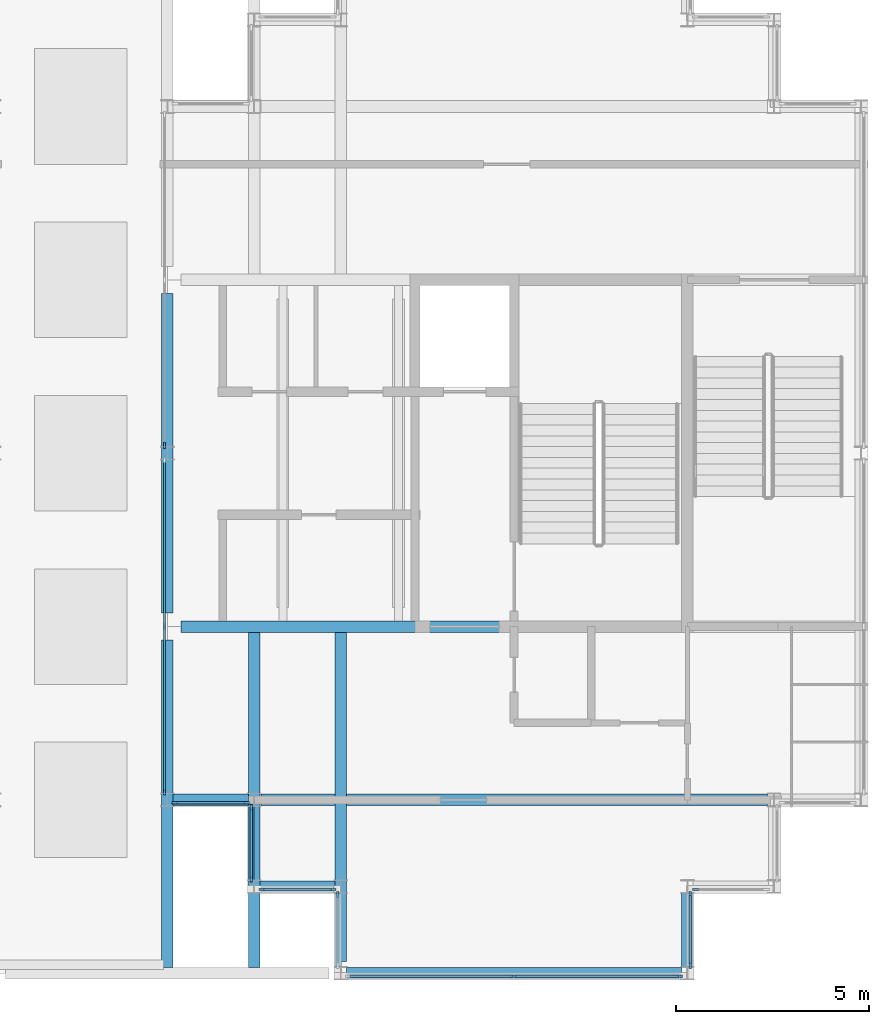
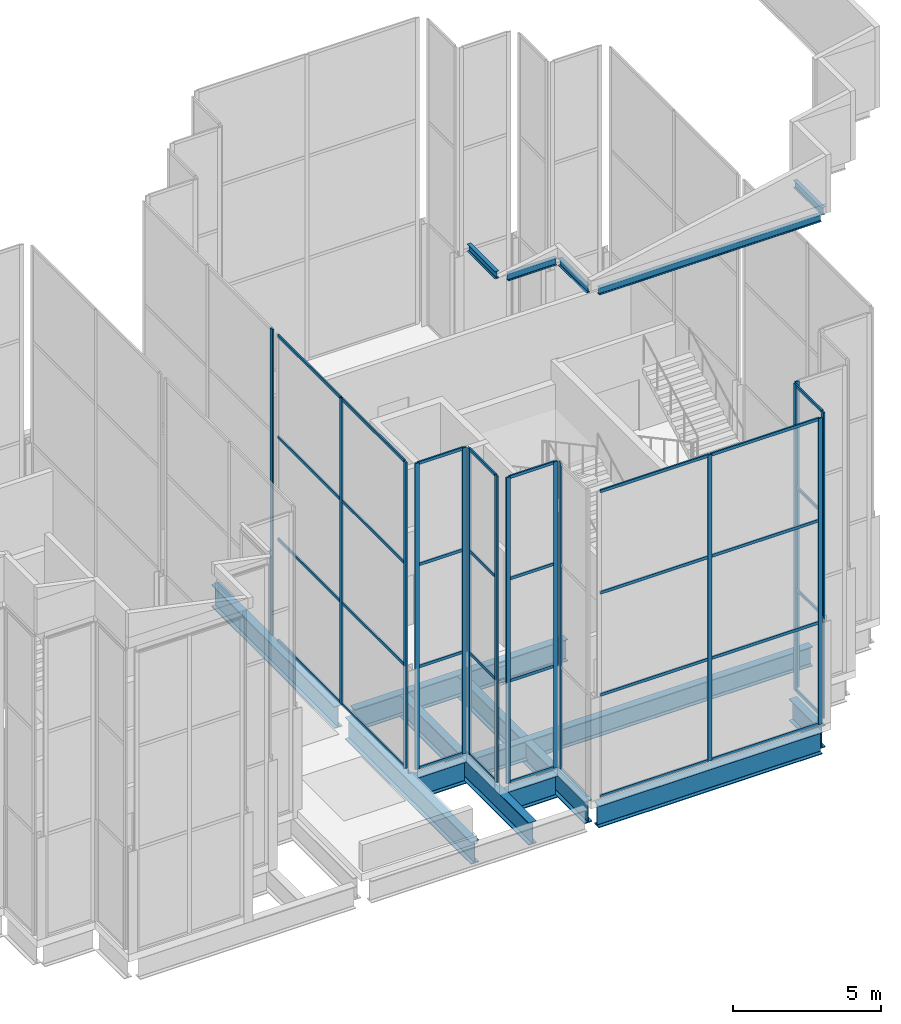
# One storey, part 4 of 23: 47 members, 15 beams, 9 elements without a shape of their own.
"""IFC4 building model written with IfcOpenShell, lengths in metres."""

from ifc_helpers import new_model, si_unit, direction, frame, origin, origin_2d, place, context, subcontext, project, spatial, rectangle, i_section, extrude, material, layer, layer_set, material_profile, profile_set, type_object, element, aggregate, save


model = new_model("IFC4")

# Units and contexts
model_context = context("Model", 3, precision=1e-05, world=origin(), true_north=direction((0.0, 1.0)))
body_context = subcontext(model_context, "Body", "Model", "MODEL_VIEW")
ifc_project = project(units=[si_unit("LENGTHUNIT", "METRE"), si_unit("AREAUNIT", "SQUARE_METRE"), si_unit("VOLUMEUNIT", "CUBIC_METRE"), si_unit("PLANEANGLEUNIT", "RADIAN"), si_unit("MASSUNIT", "GRAM", prefix="KILO")], contexts=[model_context])

# Site, building, storey
site_placement = place(None, origin())
site = spatial("IfcSite", under=ifc_project, at=site_placement, CompositionType="ELEMENT")
building_placement = place(site_placement, origin())
building = spatial("IfcBuilding", under=site, at=building_placement, Name="Caravel Reach Hotel and Residences", CompositionType="ELEMENT")
storey_placement = place(building_placement, frame((0.0, 0.0, 312.800048828125)))
storey = spatial("IfcBuildingStorey", under=building, at=storey_placement, Name="L79", CompositionType="ELEMENT", Elevation=312.800048828125)

# Beams
ifc_material_1 = material(Name="Structural steel Q355B", Category="steel")
ifc_material_profile_1 = material_profile(ifc_material_1, i_section(OverallWidth=0.14990234375, OverallDepth=0.300048828125, WebThickness=0.006591796875, FlangeThickness=0.009033203125, FilletRadius=0.012939453125, at=origin_2d()), Name="HN 300x150x6.5x9")
ifc_profile_set_1 = profile_set([ifc_material_profile_1], Name="Structural steel Q355B")
beam_type_1 = type_object("IfcBeamType", Name="Beam HN 300x150x6.5x9", PredefinedType="BEAM", material=ifc_profile_set_1)
for number, where, z_axis, x_axis, name in (
    (1, (45.074951171875, 13.675048828125, 20.849853515625), (0.0, 1.0, 0.0), (-1.0, 0.0, 0.0), "Eave tie beam east 1.1"),
    (2, (33.675048828125, 17.824951171875, 20.849853515625), (0.0, -1.0, 0.0), (1.0, 0.0, 0.0), "Eave tie beam east 17.1"),
    (3, (33.925048828125, 15.675048828125, 20.849853515625), (1.0, 0.0, 0.0), (0.0, 1.0, 0.0), "Eave tie beam east 18.1"),
    (4, (35.925048828125, 15.574951171875, 20.849853515625), (0.0, -1.0, 0.0), (1.0, 0.0, 0.0), "Eave tie beam east 19.1"),
):
    element("IfcBeam", number, at=place(storey_placement, frame(where, z_axis=z_axis, x_axis=x_axis)), inside=storey, type_object=beam_type_1, Name=name, PredefinedType="BEAM", context=body_context, shape_type="SweptSolid", body=[
        extrude(i_section(OverallWidth=0.14990234375, OverallDepth=0.300048828125, WebThickness=0.006591796875, FlangeThickness=0.009033203125, FilletRadius=0.012939453125, at=origin_2d()), origin(), (0.0, 0.0, 1.0), 1.89990234375),
    ])
beam_1_placement = place(storey_placement, frame((36.175048828125, 13.425048828125, 20.849853515625), z_axis=(1.0, 0.0, 0.0), x_axis=(0.0, 1.0, 0.0)))
element("IfcBeam", 5, at=beam_1_placement, inside=storey, type_object=beam_type_1, Name="Eave tie beam east 20.1", PredefinedType="BEAM", context=body_context, shape_type="SweptSolid", body=[
    extrude(i_section(OverallWidth=0.14990234375, OverallDepth=0.300048828125, WebThickness=0.006591796875, FlangeThickness=0.009033203125, FilletRadius=0.012939453125, at=origin_2d()), origin(), (0.0, 0.0, 1.0), 8.64990234375),
])
ifc_material_2 = material(Name="Structural steel Q355B", Category="steel")
ifc_material_profile_2 = material_profile(ifc_material_2, i_section(OverallWidth=0.300048828125, OverallDepth=0.800048828125, WebThickness=0.013916015625, FlangeThickness=0.02587890625, FilletRadius=0.01806640625, at=origin_2d()), Name="HN 800x300x14x26")
ifc_profile_set_2 = profile_set([ifc_material_profile_2], Name="Structural steel Q355B")
beam_type_2 = type_object("IfcBeamType", Name="Beam HN 800x300x14x26", PredefinedType="BEAM", material=ifc_profile_set_2)
beam_2_placement = place(storey_placement, frame((33.925048828125, 18.0, -0.699951171875), z_axis=(1.0, 0.0, 0.0), x_axis=(0.0, 1.0, 0.0)))
element("IfcBeam", 6, at=beam_2_placement, inside=storey, type_object=beam_type_2, Name="B4 HN 800x300x14x26", PredefinedType="BEAM", context=body_context, shape_type="SweptSolid", body=[
    extrude(i_section(OverallWidth=0.300048828125, OverallDepth=0.800048828125, WebThickness=0.013916015625, FlangeThickness=0.02587890625, FilletRadius=0.01806640625, at=origin_2d()), origin(), (0.0, 0.0, 1.0), 13.14990234375),
])
ifc_material_3 = material(Name="Structural steel Q355B", Category="steel")
ifc_material_profile_3 = material_profile(ifc_material_3, i_section(OverallWidth=0.300048828125, OverallDepth=0.89990234375, WebThickness=0.01611328125, FlangeThickness=0.028076171875, FilletRadius=0.01806640625, at=origin_2d()), Name="HN 900x300x16x28")
ifc_profile_set_3 = profile_set([ifc_material_profile_3], Name="Structural steel Q355B")
beam_type_3 = type_object("IfcBeamType", Name="Beam HN 900x300x16x28", PredefinedType="BEAM", material=ifc_profile_set_3)
beam_3_placement = place(storey_placement, frame((31.85009765625, 22.5, -0.75), z_axis=(1.0, 0.0, 0.0), x_axis=(0.0, 1.0, 0.0)))
element("IfcBeam", 7, at=beam_3_placement, inside=storey, type_object=beam_type_3, Name="B3 HN 900x300x16x28", PredefinedType="BEAM", context=body_context, shape_type="SweptSolid", body=[
    extrude(i_section(OverallWidth=0.300048828125, OverallDepth=0.89990234375, WebThickness=0.01611328125, FlangeThickness=0.028076171875, FilletRadius=0.01806640625, at=origin_2d()), origin(), (0.0, 0.0, 1.0), 8.2998046875),
])
ifc_material_4 = material(Name="Structural steel Q355B", Category="steel")
ifc_material_profile_4 = material_profile(ifc_material_4, i_section(OverallWidth=0.302001953125, OverallDepth=0.912109375, WebThickness=0.01806640625, FlangeThickness=0.033935546875, FilletRadius=0.01806640625, at=origin_2d()), Name="HN 900x300x18x34")
ifc_profile_set_4 = profile_set([ifc_material_profile_4], Name="Structural steel Q355B")
beam_type_4 = type_object("IfcBeamType", Name="Beam HN 900x300x18x34", PredefinedType="BEAM", material=ifc_profile_set_4)
for number, where, z_axis, x_axis, name in (
    (8, (45.0, 13.64990234375, -0.756103515625), (0.0, 1.0, 0.0), (-1.0, 0.0, 0.0), "B10 HN 900x300x18x34"),
    (9, (31.64990234375, 18.0, -0.756103515625), (1.0, 0.0, 0.0), (0.0, 1.0, 0.0), "B10 HN 900x300x18x34"),
    (10, (33.89990234375, 15.75, -0.756103515625), (1.0, 0.0, 0.0), (0.0, 1.0, 0.0), "B10 HN 900x300x18x34"),
):
    element("IfcBeam", number, at=place(storey_placement, frame(where, z_axis=z_axis, x_axis=x_axis)), inside=storey, type_object=beam_type_4, Name=name, PredefinedType="BEAM", context=body_context, shape_type="SweptSolid", body=[
        extrude(i_section(OverallWidth=0.302001953125, OverallDepth=0.912109375, WebThickness=0.01806640625, FlangeThickness=0.033935546875, FilletRadius=0.01806640625, at=origin_2d()), origin(), (0.0, 0.0, 1.0), 1.9501953125),
    ])
beam_4_placement = place(storey_placement, frame((36.14990234375, 13.5, -0.756103515625), z_axis=(1.0, 0.0, 0.0), x_axis=(0.0, 1.0, 0.0)))
element("IfcBeam", 11, at=beam_4_placement, inside=storey, type_object=beam_type_4, Name="B10 HN 900x300x18x34", PredefinedType="BEAM", context=body_context, shape_type="SweptSolid", body=[
    extrude(i_section(OverallWidth=0.302001953125, OverallDepth=0.912109375, WebThickness=0.01806640625, FlangeThickness=0.033935546875, FilletRadius=0.01806640625, at=origin_2d()), origin(), (0.0, 0.0, 1.0), 8.7001953125),
])
beam_5_placement = place(storey_placement, frame((31.5, 13.64990234375, -0.756103515625), z_axis=(0.0, 1.0, 0.0), x_axis=(-1.0, 0.0, 0.0)))
element("IfcBeam", 12, at=beam_5_placement, inside=storey, type_object=beam_type_4, Name="Transfer girder TG-L79-315-135", PredefinedType="BEAM", context=body_context, shape_type="SweptSolid", body=[
    extrude(i_section(OverallWidth=0.302001953125, OverallDepth=0.912109375, WebThickness=0.01806640625, FlangeThickness=0.033935546875, FilletRadius=0.01806640625, at=origin_2d()), origin(), (0.0, 0.0, 1.0), 8.5),
])
beam_6_placement = place(storey_placement, frame((31.5, 22.85009765625, -0.756103515625), z_axis=(0.0, 1.0, 0.0), x_axis=(-1.0, 0.0, 0.0)))
element("IfcBeam", 13, at=beam_6_placement, inside=storey, type_object=beam_type_4, Name="Transfer girder TG-L79-315-225", PredefinedType="BEAM", context=body_context, shape_type="SweptSolid", body=[
    extrude(i_section(OverallWidth=0.302001953125, OverallDepth=0.912109375, WebThickness=0.01806640625, FlangeThickness=0.033935546875, FilletRadius=0.01806640625, at=origin_2d()), origin(), (0.0, 0.0, 1.0), 8.2998046875),
])
beam_7_placement = place(storey_placement, frame((33.75, 13.64990234375, -0.756103515625), z_axis=(0.0, 1.0, 0.0), x_axis=(-1.0, 0.0, 0.0)))
element("IfcBeam", 14, at=beam_7_placement, inside=storey, type_object=beam_type_4, Name="Transfer girder TG-L79-3375-135", PredefinedType="BEAM", context=body_context, shape_type="SweptSolid", body=[
    extrude(i_section(OverallWidth=0.302001953125, OverallDepth=0.912109375, WebThickness=0.01806640625, FlangeThickness=0.033935546875, FilletRadius=0.01806640625, at=origin_2d()), origin(), (0.0, 0.0, 1.0), 8.7001953125),
])
beam_8_placement = place(storey_placement, frame((36.0, 13.800048828125, -0.756103515625), z_axis=(0.0, 1.0, 0.0), x_axis=(-1.0, 0.0, 0.0)))
element("IfcBeam", 15, at=beam_8_placement, inside=storey, type_object=beam_type_4, Name="Transfer girder TG-L79-3600-135", PredefinedType="BEAM", context=body_context, shape_type="SweptSolid", body=[
    extrude(i_section(OverallWidth=0.302001953125, OverallDepth=0.912109375, WebThickness=0.01806640625, FlangeThickness=0.033935546875, FilletRadius=0.01806640625, at=origin_2d()), origin(), (0.0, 0.0, 1.0), 8.550048828125),
])

# Curtain wall, members
ifc_material_5 = material(Name="Dark low-e glazing in black aluminium frame", Category="aluminium")
ifc_layer = layer(ifc_material_5, 0.199951171875)
ifc_layer_set = layer_set([ifc_layer], Name="CW4 Crown glazing")
curtain_wall_type = type_object("IfcCurtainWallType", Name="CW4 Crown glazing", PredefinedType="NOTDEFINED", material=ifc_layer_set)
curtain_wall_1_placement = place(storey_placement, origin())
curtain_wall_1 = element("IfcCurtainWall", 16, at=curtain_wall_1_placement, inside=storey, type_object=curtain_wall_type, Name="Crown glazing b0", PredefinedType="NOTDEFINED")
ifc_material_6 = material(Name="Anodised aluminium alloy 6063-T5, black", Category="aluminium")
ifc_material_profile_5 = material_profile(ifc_material_6, rectangle(XDim=0.06005859375, YDim=0.159912109375, at=origin_2d()), Name="CW mullion 60 x 160")
ifc_profile_set_5 = profile_set([ifc_material_profile_5], Name="Anodised aluminium alloy 6063-T5, black")
member_type_1 = type_object("IfcMemberType", Name="CW mullion 60 x 160", PredefinedType="MULLION", material=ifc_profile_set_5)
member_1_placement = place(storey_placement, frame((45.074951171875, 13.705078125, 0.0), z_axis=(0.0, 0.0, 1.0), x_axis=(-1.0, 0.0, 0.0)))
member_1 = element("IfcMember", 17, at=member_1_placement, type_object=member_type_1, Name="CW4 mullion 1", PredefinedType="MULLION", context=body_context, shape_type="SweptSolid", body=[
    extrude(rectangle(XDim=0.06005859375, YDim=0.159912109375, at=origin_2d()), origin(), (0.0, 0.0, 1.0), 12.599853515625),
])
member_2_placement = place(storey_placement, frame((45.074951171875, 15.544921875, 0.0), z_axis=(0.0, 0.0, 1.0), x_axis=(-1.0, 0.0, 0.0)))
member_2 = element("IfcMember", 18, at=member_2_placement, type_object=member_type_1, Name="CW4 mullion 2", PredefinedType="MULLION", context=body_context, shape_type="SweptSolid", body=[
    extrude(rectangle(XDim=0.06005859375, YDim=0.159912109375, at=origin_2d()), origin(), (0.0, 0.0, 1.0), 12.599853515625),
])

# Curtain wall, member
curtain_wall_2_placement = place(storey_placement, origin())
curtain_wall_2 = element("IfcCurtainWall", 19, at=curtain_wall_2_placement, inside=storey, type_object=curtain_wall_type, Name="Crown glazing b0", PredefinedType="NOTDEFINED")
member_3_placement = place(storey_placement, frame((45.205078125, 15.675048828125, 0.0), z_axis=(0.0, 0.0, 1.0), x_axis=(0.0, 1.0, 0.0)))
member_3 = element("IfcMember", 20, at=member_3_placement, type_object=member_type_1, Name="CW4 mullion 1", PredefinedType="MULLION", context=body_context, shape_type="SweptSolid", body=[
    extrude(rectangle(XDim=0.06005859375, YDim=0.159912109375, at=origin_2d()), origin(), (0.0, 0.0, 1.0), 12.599853515625),
])
aggregate(curtain_wall_2, [member_3])

curtain_wall_3_placement = place(storey_placement, origin())
curtain_wall_3 = element("IfcCurtainWall", 21, at=curtain_wall_3_placement, inside=storey, type_object=curtain_wall_type, Name="Crown glazing b0", PredefinedType="NOTDEFINED")
member_4_placement = place(storey_placement, frame((31.425048828125, 27.205078125, 0.0), z_axis=(0.0, 0.0, 1.0), x_axis=(1.0, 0.0, 0.0)))
member_4 = element("IfcMember", 22, at=member_4_placement, type_object=member_type_1, Name="CW4 mullion 3", PredefinedType="MULLION", context=body_context, shape_type="SweptSolid", body=[
    extrude(rectangle(XDim=0.06005859375, YDim=0.159912109375, at=origin_2d()), origin(), (0.0, 0.0, 1.0), 12.599853515625),
])
aggregate(curtain_wall_3, [member_4])

# Curtain wall, members
curtain_wall_4_placement = place(storey_placement, origin())
curtain_wall_4 = element("IfcCurtainWall", 23, at=curtain_wall_4_placement, inside=storey, type_object=curtain_wall_type, Name="Crown glazing b1", PredefinedType="NOTDEFINED")
member_5_placement = place(storey_placement, frame((31.425048828125, 22.5, 0.0), z_axis=(0.0, 0.0, 1.0), x_axis=(1.0, 0.0, 0.0)))
member_5 = element("IfcMember", 24, at=member_5_placement, type_object=member_type_1, Name="CW4 mullion 2", PredefinedType="MULLION", context=body_context, shape_type="SweptSolid", body=[
    extrude(rectangle(XDim=0.06005859375, YDim=0.159912109375, at=origin_2d()), origin(), (0.0, 0.0, 1.0), 12.599853515625),
])
member_6_placement = place(storey_placement, frame((31.425048828125, 18.205078125, 0.0), z_axis=(0.0, 0.0, 1.0), x_axis=(1.0, 0.0, 0.0)))
member_6 = element("IfcMember", 25, at=member_6_placement, type_object=member_type_1, Name="CW4 mullion 3", PredefinedType="MULLION", context=body_context, shape_type="SweptSolid", body=[
    extrude(rectangle(XDim=0.06005859375, YDim=0.159912109375, at=origin_2d()), origin(), (0.0, 0.0, 1.0), 12.599853515625),
])

curtain_wall_5_placement = place(storey_placement, origin())
curtain_wall_5 = element("IfcCurtainWall", 26, at=curtain_wall_5_placement, inside=storey, type_object=curtain_wall_type, Name="Crown glazing b0", PredefinedType="NOTDEFINED")
member_7_placement = place(storey_placement, frame((31.705078125, 17.925048828125, 0.0), z_axis=(0.0, 0.0, 1.0), x_axis=(0.0, 1.0, 0.0)))
member_7 = element("IfcMember", 27, at=member_7_placement, type_object=member_type_1, Name="CW4 mullion 1", PredefinedType="MULLION", context=body_context, shape_type="SweptSolid", body=[
    extrude(rectangle(XDim=0.06005859375, YDim=0.159912109375, at=origin_2d()), origin(), (0.0, 0.0, 1.0), 12.599853515625),
])
member_8_placement = place(storey_placement, frame((33.544921875, 17.925048828125, 0.0), z_axis=(0.0, 0.0, 1.0), x_axis=(0.0, 1.0, 0.0)))
member_8 = element("IfcMember", 28, at=member_8_placement, type_object=member_type_1, Name="CW4 mullion 2", PredefinedType="MULLION", context=body_context, shape_type="SweptSolid", body=[
    extrude(rectangle(XDim=0.06005859375, YDim=0.159912109375, at=origin_2d()), origin(), (0.0, 0.0, 1.0), 12.599853515625),
])

curtain_wall_6_placement = place(storey_placement, origin())
curtain_wall_6 = element("IfcCurtainWall", 29, at=curtain_wall_6_placement, inside=storey, type_object=curtain_wall_type, Name="Crown glazing b0", PredefinedType="NOTDEFINED")
member_9_placement = place(storey_placement, frame((33.675048828125, 17.794921875, 0.0), z_axis=(0.0, 0.0, 1.0), x_axis=(1.0, 0.0, 0.0)))
member_9 = element("IfcMember", 30, at=member_9_placement, type_object=member_type_1, Name="CW4 mullion 1", PredefinedType="MULLION", context=body_context, shape_type="SweptSolid", body=[
    extrude(rectangle(XDim=0.06005859375, YDim=0.159912109375, at=origin_2d()), origin(), (0.0, 0.0, 1.0), 12.599853515625),
])
member_10_placement = place(storey_placement, frame((33.675048828125, 15.955078125, 0.0), z_axis=(0.0, 0.0, 1.0), x_axis=(1.0, 0.0, 0.0)))
member_10 = element("IfcMember", 31, at=member_10_placement, type_object=member_type_1, Name="CW4 mullion 2", PredefinedType="MULLION", context=body_context, shape_type="SweptSolid", body=[
    extrude(rectangle(XDim=0.06005859375, YDim=0.159912109375, at=origin_2d()), origin(), (0.0, 0.0, 1.0), 12.599853515625),
])

curtain_wall_7_placement = place(storey_placement, origin())
curtain_wall_7 = element("IfcCurtainWall", 32, at=curtain_wall_7_placement, inside=storey, type_object=curtain_wall_type, Name="Crown glazing b0", PredefinedType="NOTDEFINED")
member_11_placement = place(storey_placement, frame((33.955078125, 15.675048828125, 0.0), z_axis=(0.0, 0.0, 1.0), x_axis=(0.0, 1.0, 0.0)))
member_11 = element("IfcMember", 33, at=member_11_placement, type_object=member_type_1, Name="CW4 mullion 1", PredefinedType="MULLION", context=body_context, shape_type="SweptSolid", body=[
    extrude(rectangle(XDim=0.06005859375, YDim=0.159912109375, at=origin_2d()), origin(), (0.0, 0.0, 1.0), 12.599853515625),
])
member_12_placement = place(storey_placement, frame((35.794921875, 15.675048828125, 0.0), z_axis=(0.0, 0.0, 1.0), x_axis=(0.0, 1.0, 0.0)))
member_12 = element("IfcMember", 34, at=member_12_placement, type_object=member_type_1, Name="CW4 mullion 2", PredefinedType="MULLION", context=body_context, shape_type="SweptSolid", body=[
    extrude(rectangle(XDim=0.06005859375, YDim=0.159912109375, at=origin_2d()), origin(), (0.0, 0.0, 1.0), 12.599853515625),
])

# Curtain wall, member
curtain_wall_8_placement = place(storey_placement, origin())
curtain_wall_8 = element("IfcCurtainWall", 35, at=curtain_wall_8_placement, inside=storey, type_object=curtain_wall_type, Name="Crown glazing b0", PredefinedType="NOTDEFINED")
member_13_placement = place(storey_placement, frame((35.925048828125, 15.544921875, 0.0), z_axis=(0.0, 0.0, 1.0), x_axis=(1.0, 0.0, 0.0)))
member_13 = element("IfcMember", 36, at=member_13_placement, type_object=member_type_1, Name="CW4 mullion 1", PredefinedType="MULLION", context=body_context, shape_type="SweptSolid", body=[
    extrude(rectangle(XDim=0.06005859375, YDim=0.159912109375, at=origin_2d()), origin(), (0.0, 0.0, 1.0), 12.599853515625),
])
aggregate(curtain_wall_8, [member_13])

# Curtain wall, members
curtain_wall_9_placement = place(storey_placement, origin())
curtain_wall_9 = element("IfcCurtainWall", 37, at=curtain_wall_9_placement, inside=storey, type_object=curtain_wall_type, Name="Crown glazing b0", PredefinedType="NOTDEFINED")
member_14_placement = place(storey_placement, frame((40.5, 13.425048828125, 0.0), z_axis=(0.0, 0.0, 1.0), x_axis=(0.0, 1.0, 0.0)))
member_14 = element("IfcMember", 38, at=member_14_placement, type_object=member_type_1, Name="CW4 mullion 2", PredefinedType="MULLION", context=body_context, shape_type="SweptSolid", body=[
    extrude(rectangle(XDim=0.06005859375, YDim=0.159912109375, at=origin_2d()), origin(), (0.0, 0.0, 1.0), 12.599853515625),
])
member_15_placement = place(storey_placement, frame((44.794921875, 13.425048828125, 0.0), z_axis=(0.0, 0.0, 1.0), x_axis=(0.0, 1.0, 0.0)))
member_15 = element("IfcMember", 39, at=member_15_placement, type_object=member_type_1, Name="CW4 mullion 3", PredefinedType="MULLION", context=body_context, shape_type="SweptSolid", body=[
    extrude(rectangle(XDim=0.06005859375, YDim=0.159912109375, at=origin_2d()), origin(), (0.0, 0.0, 1.0), 12.599853515625),
])

# Member
ifc_material_7 = material(Name="Anodised aluminium alloy 6063-T5, black", Category="aluminium")
ifc_material_profile_6 = material_profile(ifc_material_7, rectangle(XDim=0.06005859375, YDim=0.1201171875, at=origin_2d()), Name="CW transom 60 x 120")
ifc_profile_set_6 = profile_set([ifc_material_profile_6], Name="Anodised aluminium alloy 6063-T5, black")
member_type_2 = type_object("IfcMemberType", Name="CW transom 60 x 120", PredefinedType="USERDEFINED", material=ifc_profile_set_6)
member_16_placement = place(storey_placement, frame((45.074951171875, 13.735107421875, 0.030029296875), z_axis=(0.0, 1.0, 0.0), x_axis=(-1.0, 0.0, 0.0)))
member_16 = element("IfcMember", 40, at=member_16_placement, type_object=member_type_2, Name="CW4 transom 1.1", ObjectType="TRANSOM", PredefinedType="USERDEFINED", context=body_context, shape_type="SweptSolid", body=[
    extrude(rectangle(XDim=0.06005859375, YDim=0.1201171875, at=origin_2d()), origin(), (0.0, 0.0, 1.0), 1.77978515625),
])

member_17_placement = place(storey_placement, frame((45.074951171875, 13.735107421875, 4.199951171875), z_axis=(0.0, 1.0, 0.0), x_axis=(-1.0, 0.0, 0.0)))
member_17 = element("IfcMember", 41, at=member_17_placement, type_object=member_type_2, Name="CW4 transom 1.2", ObjectType="TRANSOM", PredefinedType="USERDEFINED", context=body_context, shape_type="SweptSolid", body=[
    extrude(rectangle(XDim=0.06005859375, YDim=0.1201171875, at=origin_2d()), origin(), (0.0, 0.0, 1.0), 1.77978515625),
])

member_18_placement = place(storey_placement, frame((45.074951171875, 13.735107421875, 8.39990234375), z_axis=(0.0, 1.0, 0.0), x_axis=(-1.0, 0.0, 0.0)))
member_18 = element("IfcMember", 42, at=member_18_placement, type_object=member_type_2, Name="CW4 transom 1.3", ObjectType="TRANSOM", PredefinedType="USERDEFINED", context=body_context, shape_type="SweptSolid", body=[
    extrude(rectangle(XDim=0.06005859375, YDim=0.1201171875, at=origin_2d()), origin(), (0.0, 0.0, 1.0), 1.77978515625),
])

member_19_placement = place(storey_placement, frame((45.074951171875, 13.735107421875, 12.570068359375), z_axis=(0.0, 1.0, 0.0), x_axis=(-1.0, 0.0, 0.0)))
member_19 = element("IfcMember", 43, at=member_19_placement, type_object=member_type_2, Name="CW4 transom 1.4", ObjectType="TRANSOM", PredefinedType="USERDEFINED", context=body_context, shape_type="SweptSolid", body=[
    extrude(rectangle(XDim=0.06005859375, YDim=0.1201171875, at=origin_2d()), origin(), (0.0, 0.0, 1.0), 1.77978515625),
])

aggregate(curtain_wall_1, [member_1, member_2, member_16, member_17, member_18, member_19])

member_20_placement = place(storey_placement, frame((31.425048828125, 26.764892578125, 0.030029296875), z_axis=(0.0, -1.0, 0.0), x_axis=(1.0, 0.0, 0.0)))
member_20 = element("IfcMember", 44, at=member_20_placement, type_object=member_type_2, Name="CW4 transom 1.1", ObjectType="TRANSOM", PredefinedType="USERDEFINED", context=body_context, shape_type="SweptSolid", body=[
    extrude(rectangle(XDim=0.06005859375, YDim=0.1201171875, at=origin_2d()), origin(), (0.0, 0.0, 1.0), 4.23486328125),
])

member_21_placement = place(storey_placement, frame((31.425048828125, 26.764892578125, 4.199951171875), z_axis=(0.0, -1.0, 0.0), x_axis=(1.0, 0.0, 0.0)))
member_21 = element("IfcMember", 45, at=member_21_placement, type_object=member_type_2, Name="CW4 transom 1.2", ObjectType="TRANSOM", PredefinedType="USERDEFINED", context=body_context, shape_type="SweptSolid", body=[
    extrude(rectangle(XDim=0.06005859375, YDim=0.1201171875, at=origin_2d()), origin(), (0.0, 0.0, 1.0), 4.23486328125),
])

member_22_placement = place(storey_placement, frame((31.425048828125, 26.764892578125, 8.39990234375), z_axis=(0.0, -1.0, 0.0), x_axis=(1.0, 0.0, 0.0)))
member_22 = element("IfcMember", 46, at=member_22_placement, type_object=member_type_2, Name="CW4 transom 1.3", ObjectType="TRANSOM", PredefinedType="USERDEFINED", context=body_context, shape_type="SweptSolid", body=[
    extrude(rectangle(XDim=0.06005859375, YDim=0.1201171875, at=origin_2d()), origin(), (0.0, 0.0, 1.0), 4.23486328125),
])

member_23_placement = place(storey_placement, frame((31.425048828125, 26.764892578125, 12.570068359375), z_axis=(0.0, -1.0, 0.0), x_axis=(1.0, 0.0, 0.0)))
member_23 = element("IfcMember", 47, at=member_23_placement, type_object=member_type_2, Name="CW4 transom 1.4", ObjectType="TRANSOM", PredefinedType="USERDEFINED", context=body_context, shape_type="SweptSolid", body=[
    extrude(rectangle(XDim=0.06005859375, YDim=0.1201171875, at=origin_2d()), origin(), (0.0, 0.0, 1.0), 4.23486328125),
])

member_24_placement = place(storey_placement, frame((31.425048828125, 22.469970703125, 0.030029296875), z_axis=(0.0, -1.0, 0.0), x_axis=(1.0, 0.0, 0.0)))
member_24 = element("IfcMember", 48, at=member_24_placement, type_object=member_type_2, Name="CW4 transom 2.1", ObjectType="TRANSOM", PredefinedType="USERDEFINED", context=body_context, shape_type="SweptSolid", body=[
    extrude(rectangle(XDim=0.06005859375, YDim=0.1201171875, at=origin_2d()), origin(), (0.0, 0.0, 1.0), 4.23486328125),
])

member_25_placement = place(storey_placement, frame((31.425048828125, 22.469970703125, 4.199951171875), z_axis=(0.0, -1.0, 0.0), x_axis=(1.0, 0.0, 0.0)))
member_25 = element("IfcMember", 49, at=member_25_placement, type_object=member_type_2, Name="CW4 transom 2.2", ObjectType="TRANSOM", PredefinedType="USERDEFINED", context=body_context, shape_type="SweptSolid", body=[
    extrude(rectangle(XDim=0.06005859375, YDim=0.1201171875, at=origin_2d()), origin(), (0.0, 0.0, 1.0), 4.23486328125),
])

member_26_placement = place(storey_placement, frame((31.425048828125, 22.469970703125, 8.39990234375), z_axis=(0.0, -1.0, 0.0), x_axis=(1.0, 0.0, 0.0)))
member_26 = element("IfcMember", 50, at=member_26_placement, type_object=member_type_2, Name="CW4 transom 2.3", ObjectType="TRANSOM", PredefinedType="USERDEFINED", context=body_context, shape_type="SweptSolid", body=[
    extrude(rectangle(XDim=0.06005859375, YDim=0.1201171875, at=origin_2d()), origin(), (0.0, 0.0, 1.0), 4.23486328125),
])

member_27_placement = place(storey_placement, frame((31.425048828125, 22.469970703125, 12.570068359375), z_axis=(0.0, -1.0, 0.0), x_axis=(1.0, 0.0, 0.0)))
member_27 = element("IfcMember", 51, at=member_27_placement, type_object=member_type_2, Name="CW4 transom 2.4", ObjectType="TRANSOM", PredefinedType="USERDEFINED", context=body_context, shape_type="SweptSolid", body=[
    extrude(rectangle(XDim=0.06005859375, YDim=0.1201171875, at=origin_2d()), origin(), (0.0, 0.0, 1.0), 4.23486328125),
])

aggregate(curtain_wall_4, [member_5, member_6, member_20, member_21, member_22, member_23, member_24, member_25, member_26, member_27])

member_28_placement = place(storey_placement, frame((31.735107421875, 17.925048828125, 0.030029296875), z_axis=(1.0, 0.0, 0.0), x_axis=(0.0, 1.0, 0.0)))
member_28 = element("IfcMember", 52, at=member_28_placement, type_object=member_type_2, Name="CW4 transom 1.1", ObjectType="TRANSOM", PredefinedType="USERDEFINED", context=body_context, shape_type="SweptSolid", body=[
    extrude(rectangle(XDim=0.06005859375, YDim=0.1201171875, at=origin_2d()), origin(), (0.0, 0.0, 1.0), 1.77978515625),
])

member_29_placement = place(storey_placement, frame((31.735107421875, 17.925048828125, 4.199951171875), z_axis=(1.0, 0.0, 0.0), x_axis=(0.0, 1.0, 0.0)))
member_29 = element("IfcMember", 53, at=member_29_placement, type_object=member_type_2, Name="CW4 transom 1.2", ObjectType="TRANSOM", PredefinedType="USERDEFINED", context=body_context, shape_type="SweptSolid", body=[
    extrude(rectangle(XDim=0.06005859375, YDim=0.1201171875, at=origin_2d()), origin(), (0.0, 0.0, 1.0), 1.77978515625),
])

member_30_placement = place(storey_placement, frame((31.735107421875, 17.925048828125, 8.39990234375), z_axis=(1.0, 0.0, 0.0), x_axis=(0.0, 1.0, 0.0)))
member_30 = element("IfcMember", 54, at=member_30_placement, type_object=member_type_2, Name="CW4 transom 1.3", ObjectType="TRANSOM", PredefinedType="USERDEFINED", context=body_context, shape_type="SweptSolid", body=[
    extrude(rectangle(XDim=0.06005859375, YDim=0.1201171875, at=origin_2d()), origin(), (0.0, 0.0, 1.0), 1.77978515625),
])

member_31_placement = place(storey_placement, frame((31.735107421875, 17.925048828125, 12.570068359375), z_axis=(1.0, 0.0, 0.0), x_axis=(0.0, 1.0, 0.0)))
member_31 = element("IfcMember", 55, at=member_31_placement, type_object=member_type_2, Name="CW4 transom 1.4", ObjectType="TRANSOM", PredefinedType="USERDEFINED", context=body_context, shape_type="SweptSolid", body=[
    extrude(rectangle(XDim=0.06005859375, YDim=0.1201171875, at=origin_2d()), origin(), (0.0, 0.0, 1.0), 1.77978515625),
])

aggregate(curtain_wall_5, [member_7, member_8, member_28, member_29, member_30, member_31])

member_32_placement = place(storey_placement, frame((33.675048828125, 17.764892578125, 0.030029296875), z_axis=(0.0, -1.0, 0.0), x_axis=(1.0, 0.0, 0.0)))
member_32 = element("IfcMember", 56, at=member_32_placement, type_object=member_type_2, Name="CW4 transom 1.1", ObjectType="TRANSOM", PredefinedType="USERDEFINED", context=body_context, shape_type="SweptSolid", body=[
    extrude(rectangle(XDim=0.06005859375, YDim=0.1201171875, at=origin_2d()), origin(), (0.0, 0.0, 1.0), 1.77978515625),
])

member_33_placement = place(storey_placement, frame((33.675048828125, 17.764892578125, 4.199951171875), z_axis=(0.0, -1.0, 0.0), x_axis=(1.0, 0.0, 0.0)))
member_33 = element("IfcMember", 57, at=member_33_placement, type_object=member_type_2, Name="CW4 transom 1.2", ObjectType="TRANSOM", PredefinedType="USERDEFINED", context=body_context, shape_type="SweptSolid", body=[
    extrude(rectangle(XDim=0.06005859375, YDim=0.1201171875, at=origin_2d()), origin(), (0.0, 0.0, 1.0), 1.77978515625),
])

member_34_placement = place(storey_placement, frame((33.675048828125, 17.764892578125, 8.39990234375), z_axis=(0.0, -1.0, 0.0), x_axis=(1.0, 0.0, 0.0)))
member_34 = element("IfcMember", 58, at=member_34_placement, type_object=member_type_2, Name="CW4 transom 1.3", ObjectType="TRANSOM", PredefinedType="USERDEFINED", context=body_context, shape_type="SweptSolid", body=[
    extrude(rectangle(XDim=0.06005859375, YDim=0.1201171875, at=origin_2d()), origin(), (0.0, 0.0, 1.0), 1.77978515625),
])

member_35_placement = place(storey_placement, frame((33.675048828125, 17.764892578125, 12.570068359375), z_axis=(0.0, -1.0, 0.0), x_axis=(1.0, 0.0, 0.0)))
member_35 = element("IfcMember", 59, at=member_35_placement, type_object=member_type_2, Name="CW4 transom 1.4", ObjectType="TRANSOM", PredefinedType="USERDEFINED", context=body_context, shape_type="SweptSolid", body=[
    extrude(rectangle(XDim=0.06005859375, YDim=0.1201171875, at=origin_2d()), origin(), (0.0, 0.0, 1.0), 1.77978515625),
])

aggregate(curtain_wall_6, [member_9, member_10, member_32, member_33, member_34, member_35])

member_36_placement = place(storey_placement, frame((33.985107421875, 15.675048828125, 0.030029296875), z_axis=(1.0, 0.0, 0.0), x_axis=(0.0, 1.0, 0.0)))
member_36 = element("IfcMember", 60, at=member_36_placement, type_object=member_type_2, Name="CW4 transom 1.1", ObjectType="TRANSOM", PredefinedType="USERDEFINED", context=body_context, shape_type="SweptSolid", body=[
    extrude(rectangle(XDim=0.06005859375, YDim=0.1201171875, at=origin_2d()), origin(), (0.0, 0.0, 1.0), 1.77978515625),
])

member_37_placement = place(storey_placement, frame((33.985107421875, 15.675048828125, 4.199951171875), z_axis=(1.0, 0.0, 0.0), x_axis=(0.0, 1.0, 0.0)))
member_37 = element("IfcMember", 61, at=member_37_placement, type_object=member_type_2, Name="CW4 transom 1.2", ObjectType="TRANSOM", PredefinedType="USERDEFINED", context=body_context, shape_type="SweptSolid", body=[
    extrude(rectangle(XDim=0.06005859375, YDim=0.1201171875, at=origin_2d()), origin(), (0.0, 0.0, 1.0), 1.77978515625),
])

member_38_placement = place(storey_placement, frame((33.985107421875, 15.675048828125, 8.39990234375), z_axis=(1.0, 0.0, 0.0), x_axis=(0.0, 1.0, 0.0)))
member_38 = element("IfcMember", 62, at=member_38_placement, type_object=member_type_2, Name="CW4 transom 1.3", ObjectType="TRANSOM", PredefinedType="USERDEFINED", context=body_context, shape_type="SweptSolid", body=[
    extrude(rectangle(XDim=0.06005859375, YDim=0.1201171875, at=origin_2d()), origin(), (0.0, 0.0, 1.0), 1.77978515625),
])

member_39_placement = place(storey_placement, frame((33.985107421875, 15.675048828125, 12.570068359375), z_axis=(1.0, 0.0, 0.0), x_axis=(0.0, 1.0, 0.0)))
member_39 = element("IfcMember", 63, at=member_39_placement, type_object=member_type_2, Name="CW4 transom 1.4", ObjectType="TRANSOM", PredefinedType="USERDEFINED", context=body_context, shape_type="SweptSolid", body=[
    extrude(rectangle(XDim=0.06005859375, YDim=0.1201171875, at=origin_2d()), origin(), (0.0, 0.0, 1.0), 1.77978515625),
])

aggregate(curtain_wall_7, [member_11, member_12, member_36, member_37, member_38, member_39])

member_40_placement = place(storey_placement, frame((36.235107421875, 13.425048828125, 0.030029296875), z_axis=(1.0, 0.0, 0.0), x_axis=(0.0, 1.0, 0.0)))
member_40 = element("IfcMember", 64, at=member_40_placement, type_object=member_type_2, Name="CW4 transom 1.1", ObjectType="TRANSOM", PredefinedType="USERDEFINED", context=body_context, shape_type="SweptSolid", body=[
    extrude(rectangle(XDim=0.06005859375, YDim=0.1201171875, at=origin_2d()), origin(), (0.0, 0.0, 1.0), 4.23486328125),
])

member_41_placement = place(storey_placement, frame((36.235107421875, 13.425048828125, 4.199951171875), z_axis=(1.0, 0.0, 0.0), x_axis=(0.0, 1.0, 0.0)))
member_41 = element("IfcMember", 65, at=member_41_placement, type_object=member_type_2, Name="CW4 transom 1.2", ObjectType="TRANSOM", PredefinedType="USERDEFINED", context=body_context, shape_type="SweptSolid", body=[
    extrude(rectangle(XDim=0.06005859375, YDim=0.1201171875, at=origin_2d()), origin(), (0.0, 0.0, 1.0), 4.23486328125),
])

member_42_placement = place(storey_placement, frame((36.235107421875, 13.425048828125, 8.39990234375), z_axis=(1.0, 0.0, 0.0), x_axis=(0.0, 1.0, 0.0)))
member_42 = element("IfcMember", 66, at=member_42_placement, type_object=member_type_2, Name="CW4 transom 1.3", ObjectType="TRANSOM", PredefinedType="USERDEFINED", context=body_context, shape_type="SweptSolid", body=[
    extrude(rectangle(XDim=0.06005859375, YDim=0.1201171875, at=origin_2d()), origin(), (0.0, 0.0, 1.0), 4.23486328125),
])

member_43_placement = place(storey_placement, frame((36.235107421875, 13.425048828125, 12.570068359375), z_axis=(1.0, 0.0, 0.0), x_axis=(0.0, 1.0, 0.0)))
member_43 = element("IfcMember", 67, at=member_43_placement, type_object=member_type_2, Name="CW4 transom 1.4", ObjectType="TRANSOM", PredefinedType="USERDEFINED", context=body_context, shape_type="SweptSolid", body=[
    extrude(rectangle(XDim=0.06005859375, YDim=0.1201171875, at=origin_2d()), origin(), (0.0, 0.0, 1.0), 4.23486328125),
])

member_44_placement = place(storey_placement, frame((40.530029296875, 13.425048828125, 0.030029296875), z_axis=(1.0, 0.0, 0.0), x_axis=(0.0, 1.0, 0.0)))
member_44 = element("IfcMember", 68, at=member_44_placement, type_object=member_type_2, Name="CW4 transom 2.1", ObjectType="TRANSOM", PredefinedType="USERDEFINED", context=body_context, shape_type="SweptSolid", body=[
    extrude(rectangle(XDim=0.06005859375, YDim=0.1201171875, at=origin_2d()), origin(), (0.0, 0.0, 1.0), 4.23486328125),
])

member_45_placement = place(storey_placement, frame((40.530029296875, 13.425048828125, 4.199951171875), z_axis=(1.0, 0.0, 0.0), x_axis=(0.0, 1.0, 0.0)))
member_45 = element("IfcMember", 69, at=member_45_placement, type_object=member_type_2, Name="CW4 transom 2.2", ObjectType="TRANSOM", PredefinedType="USERDEFINED", context=body_context, shape_type="SweptSolid", body=[
    extrude(rectangle(XDim=0.06005859375, YDim=0.1201171875, at=origin_2d()), origin(), (0.0, 0.0, 1.0), 4.23486328125),
])

member_46_placement = place(storey_placement, frame((40.530029296875, 13.425048828125, 8.39990234375), z_axis=(1.0, 0.0, 0.0), x_axis=(0.0, 1.0, 0.0)))
member_46 = element("IfcMember", 70, at=member_46_placement, type_object=member_type_2, Name="CW4 transom 2.3", ObjectType="TRANSOM", PredefinedType="USERDEFINED", context=body_context, shape_type="SweptSolid", body=[
    extrude(rectangle(XDim=0.06005859375, YDim=0.1201171875, at=origin_2d()), origin(), (0.0, 0.0, 1.0), 4.23486328125),
])

member_47_placement = place(storey_placement, frame((40.530029296875, 13.425048828125, 12.570068359375), z_axis=(1.0, 0.0, 0.0), x_axis=(0.0, 1.0, 0.0)))
member_47 = element("IfcMember", 71, at=member_47_placement, type_object=member_type_2, Name="CW4 transom 2.4", ObjectType="TRANSOM", PredefinedType="USERDEFINED", context=body_context, shape_type="SweptSolid", body=[
    extrude(rectangle(XDim=0.06005859375, YDim=0.1201171875, at=origin_2d()), origin(), (0.0, 0.0, 1.0), 4.23486328125),
])

aggregate(curtain_wall_9, [member_14, member_15, member_40, member_41, member_42, member_43, member_44, member_45, member_46, member_47])

save(model, "model.ifc")
